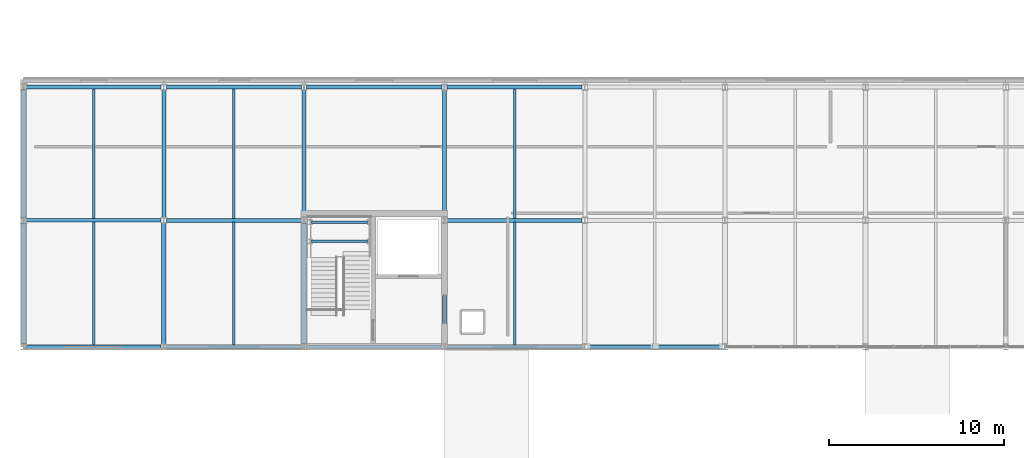
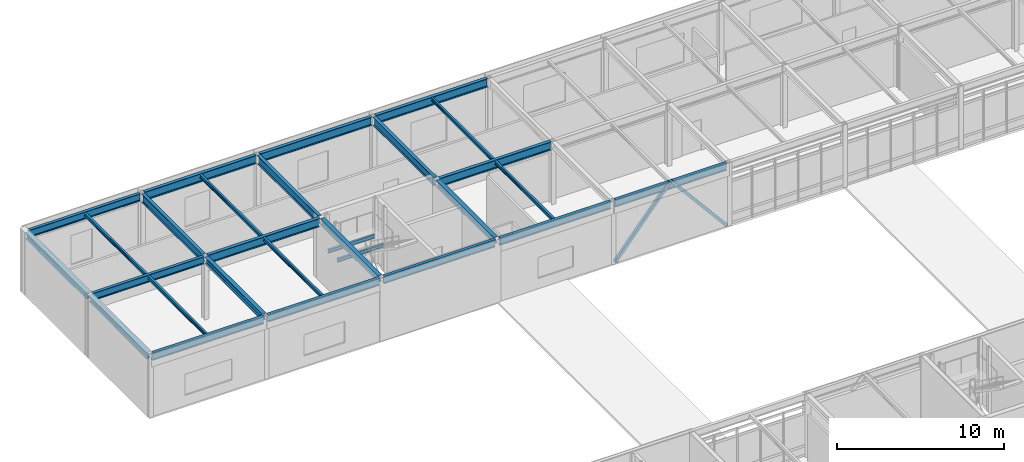
# One storey, part 32 of 100: 28 beams, 2 members.
"""IFC4 building model written with IfcOpenShell, lengths in metres."""

from ifc_helpers import new_model, si_unit, direction, frame, origin, origin_2d, place, context, subcontext, project, spatial, hollow_rectangle, i_section, extrude, material, material_profile, profile_set, type_object, element, save


model = new_model("IFC4")

# Units and contexts
model_context = context("Model", 3, precision=1e-05, world=origin(), true_north=direction((0.0, 1.0)))
body_context = subcontext(model_context, "Body", "Model", "MODEL_VIEW")
ifc_project = project(units=[si_unit("LENGTHUNIT", "METRE"), si_unit("AREAUNIT", "SQUARE_METRE"), si_unit("VOLUMEUNIT", "CUBIC_METRE"), si_unit("PLANEANGLEUNIT", "RADIAN"), si_unit("MASSUNIT", "GRAM", prefix="KILO")], contexts=[model_context])

# Site, building, storey
site_placement = place(None, origin())
site = spatial("IfcSite", under=ifc_project, at=site_placement, CompositionType="ELEMENT")
building_placement = place(site_placement, origin())
building = spatial("IfcBuilding", under=site, at=building_placement, Name="Zulena Civic Courthouse", CompositionType="ELEMENT")
storey_placement = place(building_placement, frame((0.0, 0.0, 20.39990234375)))
storey = spatial("IfcBuildingStorey", under=building, at=storey_placement, Name="L04", CompositionType="ELEMENT", Elevation=20.39990234375)

# Members
ifc_material_1 = material(Name="Steel ASTM A500 Grade C", Category="steel")
ifc_material_profile_1 = material_profile(ifc_material_1, hollow_rectangle(XDim=0.202880859375, YDim=0.202880859375, WallThickness=0.01171875, at=origin_2d()), Name="HSS8X8X1/2")
ifc_profile_set_1 = profile_set([ifc_material_profile_1], Name="Steel ASTM A500 Grade C")
member_type = type_object("IfcMemberType", Name="Brace_HSS8", PredefinedType="BRACE", material=ifc_profile_set_1)
for number, where, z_axis, x_axis, name in (
    (1, (36.14990234375, 46.0, 0.010009765625), (0.641014438311, 0.0, 0.767528820225), (0.0, 1.0, 0.0), "brace:V5:L04:5:0"),
    (2, (43.85009765625, 46.0, 0.010009765625), (-0.641014438311, 0.0, 0.767528820225), (0.0, -1.0, 0.0), "brace:V5:L04:5:1"),
):
    element("IfcMember", number, at=place(storey_placement, frame(where, z_axis=z_axis, x_axis=x_axis)), inside=storey, type_object=member_type, Name=name, PredefinedType="BRACE", context=body_context, shape_type="SweptSolid", body=[
        extrude(hollow_rectangle(XDim=0.202880859375, YDim=0.202880859375, WallThickness=0.01171875, at=origin_2d()), origin(), (0.0, 0.0, 1.0), 5.92822265625),
    ])

# Beams
ifc_material_2 = material(Name="Steel ASTM A992 Grade 50", Category="steel")
ifc_material_profile_2 = material_profile(ifc_material_2, i_section(OverallWidth=0.22802734375, OverallDepth=0.60693359375, WebThickness=0.01123046875, FlangeThickness=0.017333984375, FilletRadius=0.0126953125, at=origin_2d()), Name="W24X76")
ifc_profile_set_2 = profile_set([ifc_material_profile_2], Name="Steel ASTM A992 Grade 50")
beam_type_1 = type_object("IfcBeamType", Name="Girder_W24X76", PredefinedType="BEAM", material=ifc_profile_set_2)
for number, where, z_axis, x_axis, name in (
    (3, (12.0, 53.344970703125, 4.28662109375), (0.0, 1.0, 0.0), (-1.0, 0.0, 0.0), "beam:Y:V5:L04:12.0:53.2_60.8"),
    (4, (20.0, 53.344970703125, 4.29150390625), (0.0, 1.0, 0.0), (-1.0, 0.0, 0.0), "beam:Y:V5:L04:20.0:53.2_60.8"),
    (5, (28.0, 53.344970703125, 4.29150390625), (0.0, 1.0, 0.0), (-1.0, 0.0, 0.0), "beam:Y:V5:L04:28.0:53.2_60.8"),
):
    element("IfcBeam", number, at=place(storey_placement, frame(where, z_axis=z_axis, x_axis=x_axis)), inside=storey, type_object=beam_type_1, Name=name, PredefinedType="BEAM", context=body_context, shape_type="SweptSolid", body=[
        extrude(i_section(OverallWidth=0.22802734375, OverallDepth=0.60693359375, WebThickness=0.01123046875, FlangeThickness=0.017333984375, FilletRadius=0.0126953125, at=origin_2d()), origin(), (0.0, 0.0, 1.0), 7.31005859375),
    ])
ifc_material_profile_3 = material_profile(ifc_material_2, i_section(OverallWidth=0.22998046875, OverallDepth=0.616943359375, WebThickness=0.01318359375, FlangeThickness=0.022216796875, FilletRadius=0.0126953125, at=origin_2d()), Name="W24X94")
ifc_profile_set_3 = profile_set([ifc_material_profile_3], Name="Steel ASTM A992 Grade 50")
beam_type_2 = type_object("IfcBeamType", Name="Girder_W24X94", PredefinedType="BEAM", material=ifc_profile_set_3)
for number, where, z_axis, x_axis, name in (
    (6, (12.14501953125, 53.199951171875, 4.28662109375), (1.0, 0.0, 0.0), (0.0, 1.0, 0.0), "beam:X:V5:L04:53.2:12.0_20.0"),
    (7, (28.14501953125, 53.199951171875, 4.28662109375), (1.0, 0.0, 0.0), (0.0, 1.0, 0.0), "beam:X:V5:L04:53.2:28.0_36.0"),
    (8, (12.14501953125, 60.800048828125, 4.28662109375), (1.0, 0.0, 0.0), (0.0, 1.0, 0.0), "beam:X:V5:L04:60.8:12.0_20.0"),
    (9, (20.14501953125, 60.800048828125, 4.28662109375), (1.0, 0.0, 0.0), (0.0, 1.0, 0.0), "beam:X:V5:L04:60.8:20.0_28.0"),
    (10, (28.14501953125, 60.800048828125, 4.28662109375), (1.0, 0.0, 0.0), (0.0, 1.0, 0.0), "beam:X:V5:L04:60.8:28.0_36.0"),
):
    element("IfcBeam", number, at=place(storey_placement, frame(where, z_axis=z_axis, x_axis=x_axis)), inside=storey, type_object=beam_type_2, Name=name, PredefinedType="BEAM", context=body_context, shape_type="SweptSolid", body=[
        extrude(i_section(OverallWidth=0.22998046875, OverallDepth=0.616943359375, WebThickness=0.01318359375, FlangeThickness=0.022216796875, FilletRadius=0.0126953125, at=origin_2d()), origin(), (0.0, 0.0, 1.0), 7.7099609375),
    ])
ifc_material_profile_4 = material_profile(ifc_material_2, i_section(OverallWidth=0.14599609375, OverallDepth=0.258056640625, WebThickness=0.006103515625, FlangeThickness=0.009033203125, FilletRadius=0.007568359375, at=origin_2d()), Name="W10X22")
ifc_profile_set_4 = profile_set([ifc_material_profile_4], Name="Steel ASTM A992 Grade 50")
beam_type_3 = type_object("IfcBeamType", Name="Joist_W10X22", PredefinedType="JOIST", material=ifc_profile_set_4)
beam_1_placement = place(storey_placement, frame((8.0, 46.10498046875, 4.461181640625), z_axis=(0.0, 1.0, 0.0), x_axis=(-1.0, 0.0, 0.0)))
element("IfcBeam", 11, at=beam_1_placement, inside=storey, type_object=beam_type_3, Name="joist:V5:L04:8.00:46.0_53.2", PredefinedType="JOIST", context=body_context, shape_type="SweptSolid", body=[
    extrude(i_section(OverallWidth=0.14599609375, OverallDepth=0.258056640625, WebThickness=0.006103515625, FlangeThickness=0.009033203125, FilletRadius=0.007568359375, at=origin_2d()), origin(), (0.0, 0.0, 1.0), 6.989990234375),
])
beam_2_placement = place(storey_placement, frame((8.0, 53.304931640625, 4.461181640625), z_axis=(0.0, 1.0, 0.0), x_axis=(-1.0, 0.0, 0.0)))
element("IfcBeam", 12, at=beam_2_placement, inside=storey, type_object=beam_type_3, Name="joist:V5:L04:8.00:53.2_60.8", PredefinedType="JOIST", context=body_context, shape_type="SweptSolid", body=[
    extrude(i_section(OverallWidth=0.14599609375, OverallDepth=0.258056640625, WebThickness=0.006103515625, FlangeThickness=0.009033203125, FilletRadius=0.007568359375, at=origin_2d()), origin(), (0.0, 0.0, 1.0), 7.39013671875),
])
beam_3_placement = place(storey_placement, frame((16.0, 46.10498046875, 4.466064453125), z_axis=(0.0, 1.0, 0.0), x_axis=(-1.0, 0.0, 0.0)))
element("IfcBeam", 13, at=beam_3_placement, inside=storey, type_object=beam_type_3, Name="joist:V5:L04:16.00:46.0_53.2", PredefinedType="JOIST", context=body_context, shape_type="SweptSolid", body=[
    extrude(i_section(OverallWidth=0.14599609375, OverallDepth=0.258056640625, WebThickness=0.006103515625, FlangeThickness=0.009033203125, FilletRadius=0.007568359375, at=origin_2d()), origin(), (0.0, 0.0, 1.0), 6.989990234375),
])
beam_4_placement = place(storey_placement, frame((16.0, 53.304931640625, 4.466064453125), z_axis=(0.0, 1.0, 0.0), x_axis=(-1.0, 0.0, 0.0)))
element("IfcBeam", 14, at=beam_4_placement, inside=storey, type_object=beam_type_3, Name="joist:V5:L04:16.00:53.2_60.8", PredefinedType="JOIST", context=body_context, shape_type="SweptSolid", body=[
    extrude(i_section(OverallWidth=0.14599609375, OverallDepth=0.258056640625, WebThickness=0.006103515625, FlangeThickness=0.009033203125, FilletRadius=0.007568359375, at=origin_2d()), origin(), (0.0, 0.0, 1.0), 7.39013671875),
])
beam_5_placement = place(storey_placement, frame((32.0, 46.10498046875, 4.466064453125), z_axis=(0.0, 1.0, 0.0), x_axis=(-1.0, 0.0, 0.0)))
element("IfcBeam", 15, at=beam_5_placement, inside=storey, type_object=beam_type_3, Name="joist:V5:L04:32.00:46.0_53.2", PredefinedType="JOIST", context=body_context, shape_type="SweptSolid", body=[
    extrude(i_section(OverallWidth=0.14599609375, OverallDepth=0.258056640625, WebThickness=0.006103515625, FlangeThickness=0.009033203125, FilletRadius=0.007568359375, at=origin_2d()), origin(), (0.0, 0.0, 1.0), 6.989990234375),
])
beam_6_placement = place(storey_placement, frame((32.0, 53.304931640625, 4.466064453125), z_axis=(0.0, 1.0, 0.0), x_axis=(-1.0, 0.0, 0.0)))
element("IfcBeam", 16, at=beam_6_placement, inside=storey, type_object=beam_type_3, Name="joist:V5:L04:32.00:53.2_60.8", PredefinedType="JOIST", context=body_context, shape_type="SweptSolid", body=[
    extrude(i_section(OverallWidth=0.14599609375, OverallDepth=0.258056640625, WebThickness=0.006103515625, FlangeThickness=0.009033203125, FilletRadius=0.007568359375, at=origin_2d()), origin(), (0.0, 0.0, 1.0), 7.39013671875),
])
for number, where, z_axis, x_axis, name in (
    (17, (20.419921875, 52.0, 1.9912109375), (1.0, 0.0, 0.0), (0.0, 1.0, 0.0), "beam:lnd:K5A:L04:0"),
    (18, (20.419921875, 53.10009765625, 1.9912109375), (1.0, 0.0, 0.0), (0.0, 1.0, 0.0), "beam:lnd:K5A:L04:1"),
):
    element("IfcBeam", number, at=place(storey_placement, frame(where, z_axis=z_axis, x_axis=x_axis)), inside=storey, type_object=beam_type_3, Name=name, PredefinedType="JOIST", context=body_context, shape_type="SweptSolid", body=[
        extrude(i_section(OverallWidth=0.14599609375, OverallDepth=0.258056640625, WebThickness=0.006103515625, FlangeThickness=0.009033203125, FilletRadius=0.007568359375, at=origin_2d()), origin(), (0.0, 0.0, 1.0), 3.2001953125),
    ])
ifc_material_profile_5 = material_profile(ifc_material_2, i_section(OverallWidth=0.280029296875, OverallDepth=0.462890625, WebThickness=0.0107421875, FlangeThickness=0.017333984375, FilletRadius=0.01025390625, at=origin_2d()), Name="W18X76")
ifc_profile_set_5 = profile_set([ifc_material_profile_5], Name="Steel ASTM A992 Grade 50")
beam_type_4 = type_object("IfcBeamType", Name="Spandrel_W18X76", PredefinedType="SPANDREL", material=ifc_profile_set_5)
beam_7_placement = place(storey_placement, frame((4.0, 46.14501953125, 4.358642578125), z_axis=(0.0, 1.0, 0.0), x_axis=(-1.0, 0.0, 0.0)))
element("IfcBeam", 19, at=beam_7_placement, inside=storey, type_object=beam_type_4, Name="beam:Y:V5:L04:4.0:46.0_53.2", PredefinedType="SPANDREL", context=body_context, shape_type="SweptSolid", body=[
    extrude(i_section(OverallWidth=0.280029296875, OverallDepth=0.462890625, WebThickness=0.0107421875, FlangeThickness=0.017333984375, FilletRadius=0.01025390625, at=origin_2d()), origin(), (0.0, 0.0, 1.0), 6.909912109375),
])
beam_8_placement = place(storey_placement, frame((4.0, 53.344970703125, 4.358642578125), z_axis=(0.0, 1.0, 0.0), x_axis=(-1.0, 0.0, 0.0)))
element("IfcBeam", 20, at=beam_8_placement, inside=storey, type_object=beam_type_4, Name="beam:Y:V5:L04:4.0:53.2_60.8", PredefinedType="SPANDREL", context=body_context, shape_type="SweptSolid", body=[
    extrude(i_section(OverallWidth=0.280029296875, OverallDepth=0.462890625, WebThickness=0.0107421875, FlangeThickness=0.017333984375, FilletRadius=0.01025390625, at=origin_2d()), origin(), (0.0, 0.0, 1.0), 7.31005859375),
])
for number, where, z_axis, x_axis, name in (
    (21, (12.0, 46.14501953125, 4.358642578125), (0.0, 1.0, 0.0), (-1.0, 0.0, 0.0), "beam:Y:V5:L04:12.0:46.0_53.2"),
    (22, (20.0, 46.14501953125, 4.363525390625), (0.0, 1.0, 0.0), (-1.0, 0.0, 0.0), "beam:Y:V5:L04:20.0:46.0_53.2"),
    (23, (28.0, 46.14501953125, 4.363525390625), (0.0, 1.0, 0.0), (-1.0, 0.0, 0.0), "beam:Y:V5:L04:28.0:46.0_53.2"),
):
    element("IfcBeam", number, at=place(storey_placement, frame(where, z_axis=z_axis, x_axis=x_axis)), inside=storey, type_object=beam_type_4, Name=name, PredefinedType="SPANDREL", context=body_context, shape_type="SweptSolid", body=[
        extrude(i_section(OverallWidth=0.280029296875, OverallDepth=0.462890625, WebThickness=0.0107421875, FlangeThickness=0.017333984375, FilletRadius=0.01025390625, at=origin_2d()), origin(), (0.0, 0.0, 1.0), 6.909912109375),
    ])
ifc_material_profile_6 = material_profile(ifc_material_2, i_section(OverallWidth=0.2099609375, OverallDepth=0.537109375, WebThickness=0.010986328125, FlangeThickness=0.017333984375, FilletRadius=0.0126953125, at=origin_2d()), Name="W21X68")
ifc_profile_set_6 = profile_set([ifc_material_profile_6], Name="Steel ASTM A992 Grade 50")
beam_type_5 = type_object("IfcBeamType", Name="Spandrel_W21X68", PredefinedType="SPANDREL", material=ifc_profile_set_6)
for number, where, z_axis, x_axis, name in (
    (24, (4.14501953125, 46.0, 4.321533203125), (1.0, 0.0, 0.0), (0.0, 1.0, 0.0), "beam:X:V5:L04:46.0:4.0_12.0"),
    (25, (12.14501953125, 46.0, 4.32666015625), (1.0, 0.0, 0.0), (0.0, 1.0, 0.0), "beam:X:V5:L04:46.0:12.0_20.0"),
    (26, (20.14501953125, 46.0, 4.32666015625), (1.0, 0.0, 0.0), (0.0, 1.0, 0.0), "beam:X:V5:L04:46.0:20.0_28.0"),
    (27, (28.14501953125, 46.0, 4.32666015625), (1.0, 0.0, 0.0), (0.0, 1.0, 0.0), "beam:X:V5:L04:46.0:28.0_36.0"),
    (28, (36.14501953125, 46.0, 4.32666015625), (1.0, 0.0, 0.0), (0.0, 1.0, 0.0), "beam:X:V5:L04:46.0:36.0_44.0"),
    (29, (4.14501953125, 53.199951171875, 4.321533203125), (1.0, 0.0, 0.0), (0.0, 1.0, 0.0), "beam:X:V5:L04:53.2:4.0_12.0"),
    (30, (4.14501953125, 60.800048828125, 4.321533203125), (1.0, 0.0, 0.0), (0.0, 1.0, 0.0), "beam:X:V5:L04:60.8:4.0_12.0"),
):
    element("IfcBeam", number, at=place(storey_placement, frame(where, z_axis=z_axis, x_axis=x_axis)), inside=storey, type_object=beam_type_5, Name=name, PredefinedType="SPANDREL", context=body_context, shape_type="SweptSolid", body=[
        extrude(i_section(OverallWidth=0.2099609375, OverallDepth=0.537109375, WebThickness=0.010986328125, FlangeThickness=0.017333984375, FilletRadius=0.0126953125, at=origin_2d()), origin(), (0.0, 0.0, 1.0), 7.7099609375),
    ])

save(model, "model.ifc")
